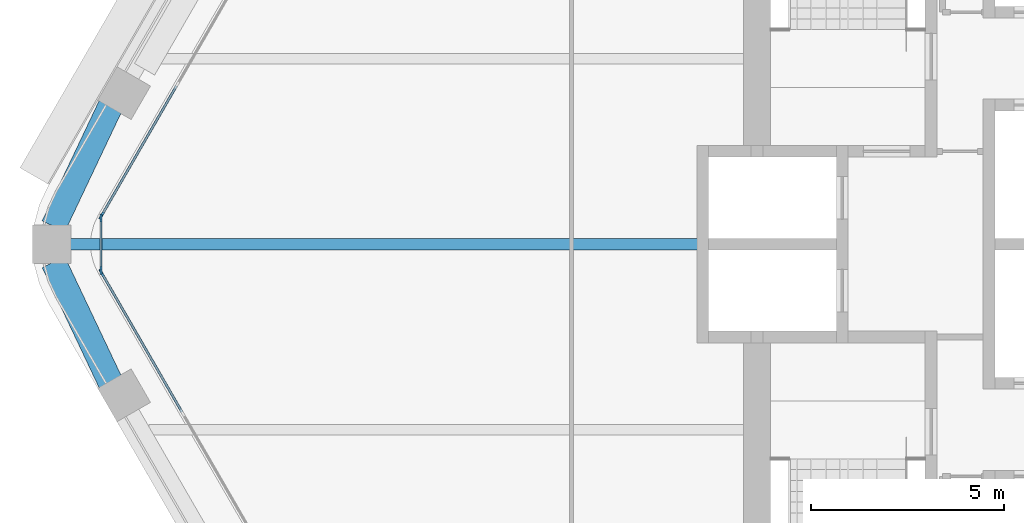
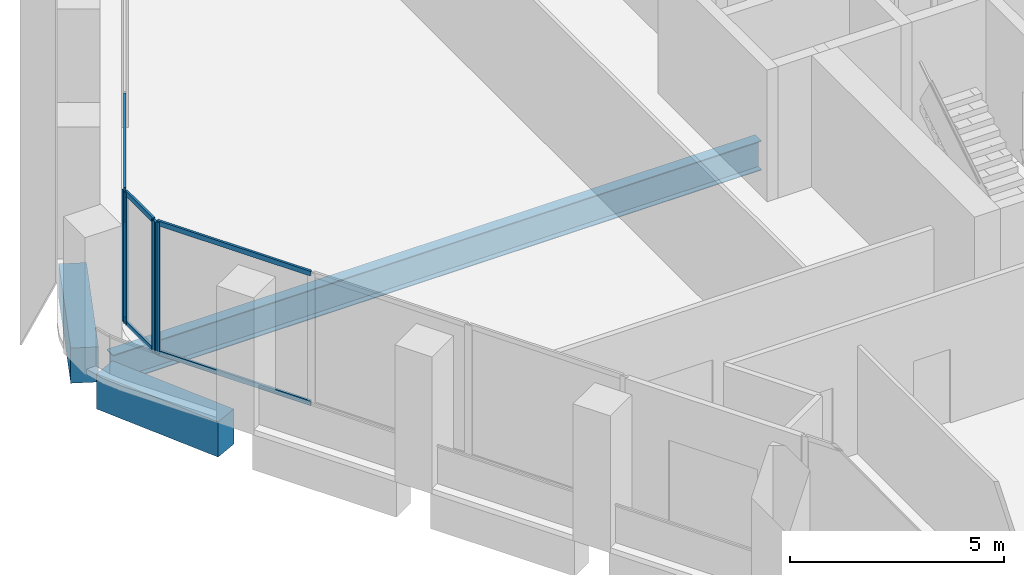
# One storey, part 3 of 17: 10 members, 3 beams, 3 elements without a shape of their own.
"""IFC4 building model written with IfcOpenShell, lengths in metres."""

from ifc_helpers import new_model, si_unit, direction, frame, origin, origin_2d, place, context, subcontext, project, spatial, rectangle, i_section, extrude, material, material_profile, profile_set, type_object, element, aggregate, save


model = new_model("IFC4")

# Units and contexts
model_context = context("Model", 3, precision=1e-05, world=origin(), true_north=direction((0.0, 1.0)))
body_context = subcontext(model_context, "Body", "Model", "MODEL_VIEW")
ifc_project = project(units=[si_unit("LENGTHUNIT", "METRE"), si_unit("AREAUNIT", "SQUARE_METRE"), si_unit("VOLUMEUNIT", "CUBIC_METRE"), si_unit("PLANEANGLEUNIT", "RADIAN"), si_unit("MASSUNIT", "GRAM", prefix="KILO")], contexts=[model_context])

# Site, building, storey
site_placement = place(None, origin())
site = spatial("IfcSite", under=ifc_project, at=site_placement, CompositionType="ELEMENT")
building_placement = place(site_placement, origin())
building = spatial("IfcBuilding", under=site, at=building_placement, Name="Kolab Exchange Tower", CompositionType="ELEMENT")
storey_placement = place(building_placement, frame((0.0, 0.0, 181.699951171875)))
storey = spatial("IfcBuildingStorey", under=building, at=storey_placement, Name="L38", CompositionType="ELEMENT", Elevation=181.699951171875)

# Beams
ifc_material_1 = material(Name="Steel S355", Category="steel")
ifc_material_profile_1 = material_profile(ifc_material_1, i_section(OverallWidth=0.2919921875, OverallDepth=0.840087890625, WebThickness=0.0146484375, FlangeThickness=0.021728515625, at=origin_2d()), Name="W840X193")
ifc_profile_set_1 = profile_set([ifc_material_profile_1], Name="Steel S355")
beam_type_1 = type_object("IfcBeamType", Name="FLOOR BEAM W840X193", PredefinedType="BEAM", material=ifc_profile_set_1)
beam_placement = place(storey_placement, frame((-27.3759765625, 0.0, -0.570068359375), z_axis=(1.0, 0.0, 0.0), x_axis=(0.0, 1.0, 0.0)))
element("IfcBeam", 1, at=beam_placement, inside=storey, type_object=beam_type_1, Name="beam/L38/fr/000", PredefinedType="BEAM", context=body_context, shape_type="SweptSolid", body=[
    extrude(i_section(OverallWidth=0.2919921875, OverallDepth=0.840087890625, WebThickness=0.0146484375, FlangeThickness=0.021728515625, at=origin_2d()), origin(), (0.0, 0.0, 1.0), 17.466064453125),
])
ifc_material_2 = material(Name="Concrete C60/75", Category="concrete")
ifc_material_profile_2 = material_profile(ifc_material_2, rectangle(XDim=0.64990234375, YDim=1.0, at=origin_2d()), Name="RC650X1000")
ifc_profile_set_2 = profile_set([ifc_material_profile_2], Name="Concrete C60/75")
beam_type_2 = type_object("IfcBeamType", Name="SPANDREL BEAM 650X1000 C60/75", PredefinedType="BEAM", material=ifc_profile_set_2)
for number, where, z_axis, x_axis, name in (
    (2, (-26.316162109375, -3.5771484375, -0.64990234375), (-0.428177731975, 0.903694544545, 0.0), (-0.903694544545, -0.428177731975, 0.0), "beam/L38/sp/F5-06"),
    (3, (-27.791259765625, 0.4638671875, -0.64990234375), (0.428177731975, 0.903694544545, 0.0), (-0.903694544545, 0.428177731975, 0.0), "beam/L38/sp/F6-01"),
):
    element("IfcBeam", number, at=place(storey_placement, frame(where, z_axis=z_axis, x_axis=x_axis)), inside=storey, type_object=beam_type_2, Name=name, PredefinedType="BEAM", context=body_context, shape_type="SweptSolid", body=[
        extrude(rectangle(XDim=0.64990234375, YDim=1.0, at=origin_2d()), origin(), (0.0, 0.0, 1.0), 3.445068359375),
    ])

# Curtain wall, member
ifc_material_3 = material(Name="Aluminium EN AW-6063 T6", Category="aluminium")
curtain_wall_type = type_object("IfcCurtainWallType", Name="UNITISED UPPER MID ZONE CURTAIN WALL", PredefinedType="NOTDEFINED", material=ifc_material_3)
curtain_wall_1_placement = place(storey_placement, origin())
curtain_wall_1 = element("IfcCurtainWall", 4, at=curtain_wall_1_placement, inside=storey, type_object=curtain_wall_type, Name="cw/L38/F5-2", PredefinedType="NOTDEFINED")
ifc_material_profile_3 = material_profile(ifc_material_3, rectangle(XDim=0.06005859375, YDim=0.199951171875, at=origin_2d()), Name="RECT 60X200")
ifc_profile_set_3 = profile_set([ifc_material_profile_3], Name="Aluminium EN AW-6063 T6")
member_type_1 = type_object("IfcMemberType", Name="UNITISED UPPER MID ZONE MULLION 60 X 200", PredefinedType="MULLION", material=ifc_profile_set_3)
member_1_placement = place(storey_placement, frame((-26.550537109375, -0.736083984375, 0.0), z_axis=(0.0, 0.0, 1.0), x_axis=(-0.866025427826, -0.499999958358, 0.0)))
member_1 = element("IfcMember", 5, at=member_1_placement, type_object=member_type_1, Name="CW3 mullion 4", PredefinedType="MULLION", context=body_context, shape_type="SweptSolid", body=[
    extrude(rectangle(XDim=0.06005859375, YDim=0.199951171875, at=origin_2d()), origin(), (0.0, 0.0, 1.0), 3.75),
])

curtain_wall_2_placement = place(storey_placement, origin())
curtain_wall_2 = element("IfcCurtainWall", 6, at=curtain_wall_2_placement, inside=storey, type_object=curtain_wall_type, Name="cw/L38/F6-1", PredefinedType="NOTDEFINED")
member_2_placement = place(storey_placement, frame((-26.550537109375, 0.736083984375, 0.0), z_axis=(0.0, 0.0, 1.0), x_axis=(-0.866025440524, 0.499999936366, 0.0)))
member_2 = element("IfcMember", 7, at=member_2_placement, type_object=member_type_1, Name="CW3 mullion 1", PredefinedType="MULLION", context=body_context, shape_type="SweptSolid", body=[
    extrude(rectangle(XDim=0.06005859375, YDim=0.199951171875, at=origin_2d()), origin(), (0.0, 0.0, 1.0), 3.75),
])

# Curtain wall, members
curtain_wall_3_placement = place(storey_placement, origin())
curtain_wall_3 = element("IfcCurtainWall", 8, at=curtain_wall_3_placement, inside=storey, type_object=curtain_wall_type, Name="cw/L38/F5F6-corner", PredefinedType="NOTDEFINED")
member_3_placement = place(storey_placement, frame((-26.565673828125, -0.679931640625, 0.0), z_axis=(0.0, 0.0, 1.0), x_axis=(-1.0, 0.0, 0.0)))
member_3 = element("IfcMember", 9, at=member_3_placement, type_object=member_type_1, Name="CW3 mullion 1", PredefinedType="MULLION", context=body_context, shape_type="SweptSolid", body=[
    extrude(rectangle(XDim=0.06005859375, YDim=0.199951171875, at=origin_2d()), origin(), (0.0, 0.0, 1.0), 3.75),
])
member_4_placement = place(storey_placement, frame((-26.565673828125, 0.679931640625, 0.0), z_axis=(0.0, 0.0, 1.0), x_axis=(-1.0, 0.0, 0.0)))
member_4 = element("IfcMember", 10, at=member_4_placement, type_object=member_type_1, Name="CW3 mullion 2", PredefinedType="MULLION", context=body_context, shape_type="SweptSolid", body=[
    extrude(rectangle(XDim=0.06005859375, YDim=0.199951171875, at=origin_2d()), origin(), (0.0, 0.0, 1.0), 3.75),
])

# Member
ifc_material_profile_4 = material_profile(ifc_material_3, rectangle(XDim=0.06005859375, YDim=0.139892578125, at=origin_2d()), Name="RECT 60X140")
ifc_profile_set_4 = profile_set([ifc_material_profile_4], Name="Aluminium EN AW-6063 T6")
member_type_2 = type_object("IfcMemberType", Name="UNITISED UPPER MID ZONE TRANSOM 60 X 140", PredefinedType="USERDEFINED", material=ifc_profile_set_4)
member_5_placement = place(storey_placement, frame((-24.46923828125, -4.3408203125, 0.030029296875), z_axis=(-0.500027577057, 0.866009481578, 0.0), x_axis=(-0.866009481578, -0.500027577057, 0.0)))
member_5 = element("IfcMember", 11, at=member_5_placement, type_object=member_type_2, Name="CW3 transom 3.1", ObjectType="TRANSOM", PredefinedType="USERDEFINED", context=body_context, shape_type="SweptSolid", body=[
    extrude(rectangle(XDim=0.06005859375, YDim=0.139892578125, at=origin_2d()), origin(), (0.0, 0.0, 1.0), 4.132568359375),
])

member_6_placement = place(storey_placement, frame((-24.46923828125, -4.3408203125, 3.719970703125), z_axis=(-0.500027577057, 0.866009481578, 0.0), x_axis=(-0.866009481578, -0.500027577057, 0.0)))
member_6 = element("IfcMember", 12, at=member_6_placement, type_object=member_type_2, Name="CW3 transom 3.2", ObjectType="TRANSOM", PredefinedType="USERDEFINED", context=body_context, shape_type="SweptSolid", body=[
    extrude(rectangle(XDim=0.06005859375, YDim=0.139892578125, at=origin_2d()), origin(), (0.0, 0.0, 1.0), 4.132568359375),
])

aggregate(curtain_wall_1, [member_1, member_5, member_6])

member_7_placement = place(storey_placement, frame((-26.53564453125, 0.761962890625, 0.030029296875), z_axis=(0.499991857942, 0.866030104553, 0.0), x_axis=(-0.866030104553, 0.499991857942, 0.0)))
member_7 = element("IfcMember", 13, at=member_7_placement, type_object=member_type_2, Name="CW3 transom 1.1", ObjectType="TRANSOM", PredefinedType="USERDEFINED", context=body_context, shape_type="SweptSolid", body=[
    extrude(rectangle(XDim=0.06005859375, YDim=0.139892578125, at=origin_2d()), origin(), (0.0, 0.0, 1.0), 3.84375),
])

member_8_placement = place(storey_placement, frame((-26.53564453125, 0.761962890625, 3.719970703125), z_axis=(0.499991857942, 0.866030104553, 0.0), x_axis=(-0.866030104553, 0.499991857942, 0.0)))
member_8 = element("IfcMember", 14, at=member_8_placement, type_object=member_type_2, Name="CW3 transom 1.2", ObjectType="TRANSOM", PredefinedType="USERDEFINED", context=body_context, shape_type="SweptSolid", body=[
    extrude(rectangle(XDim=0.06005859375, YDim=0.139892578125, at=origin_2d()), origin(), (0.0, 0.0, 1.0), 3.84375),
])

aggregate(curtain_wall_2, [member_2, member_7, member_8])

member_9_placement = place(storey_placement, frame((-26.565673828125, -0.64990234375, 0.030029296875), z_axis=(0.0, 1.0, 0.0), x_axis=(-1.0, 0.0, 0.0)))
member_9 = element("IfcMember", 15, at=member_9_placement, type_object=member_type_2, Name="CW3 transom 1.1", ObjectType="TRANSOM", PredefinedType="USERDEFINED", context=body_context, shape_type="SweptSolid", body=[
    extrude(rectangle(XDim=0.06005859375, YDim=0.139892578125, at=origin_2d()), origin(), (0.0, 0.0, 1.0), 1.2998046875),
])

member_10_placement = place(storey_placement, frame((-26.565673828125, -0.64990234375, 3.719970703125), z_axis=(0.0, 1.0, 0.0), x_axis=(-1.0, 0.0, 0.0)))
member_10 = element("IfcMember", 16, at=member_10_placement, type_object=member_type_2, Name="CW3 transom 1.2", ObjectType="TRANSOM", PredefinedType="USERDEFINED", context=body_context, shape_type="SweptSolid", body=[
    extrude(rectangle(XDim=0.06005859375, YDim=0.139892578125, at=origin_2d()), origin(), (0.0, 0.0, 1.0), 1.2998046875),
])

aggregate(curtain_wall_3, [member_3, member_4, member_9, member_10])

save(model, "model.ifc")
